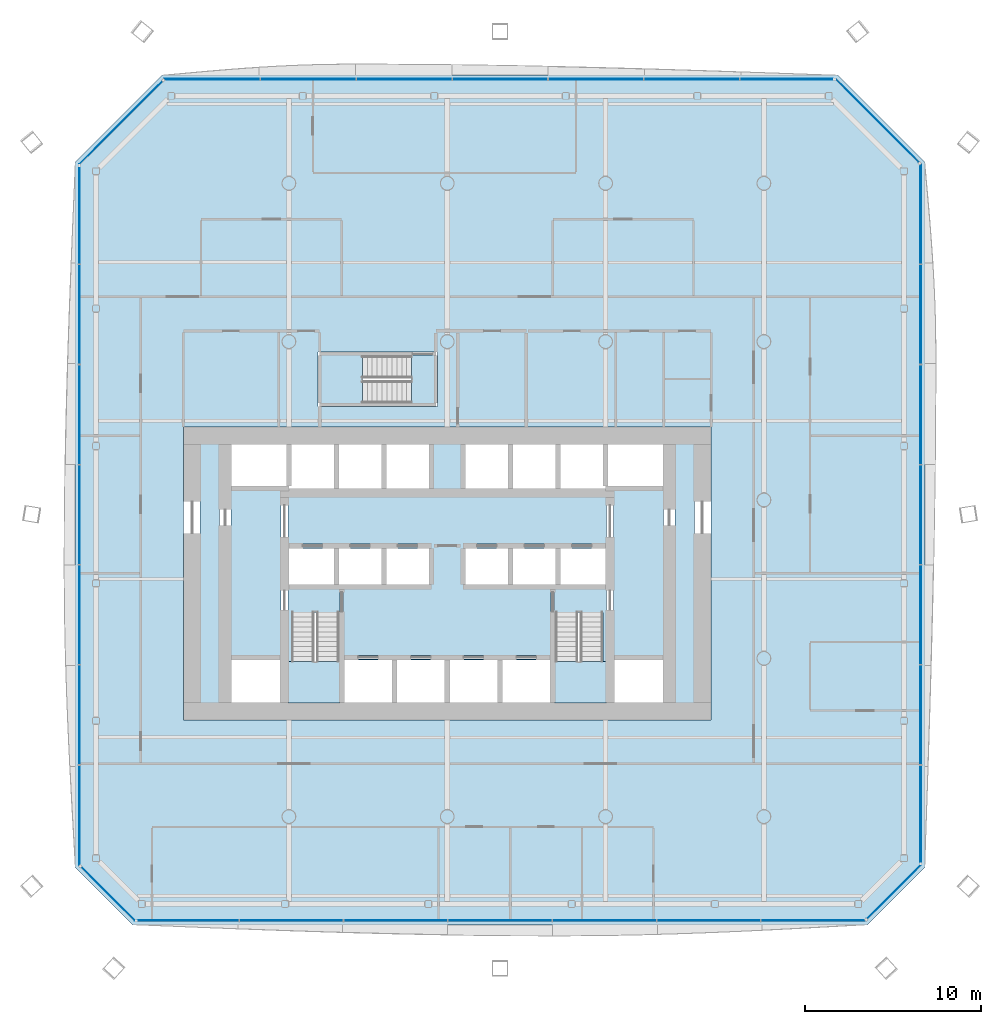
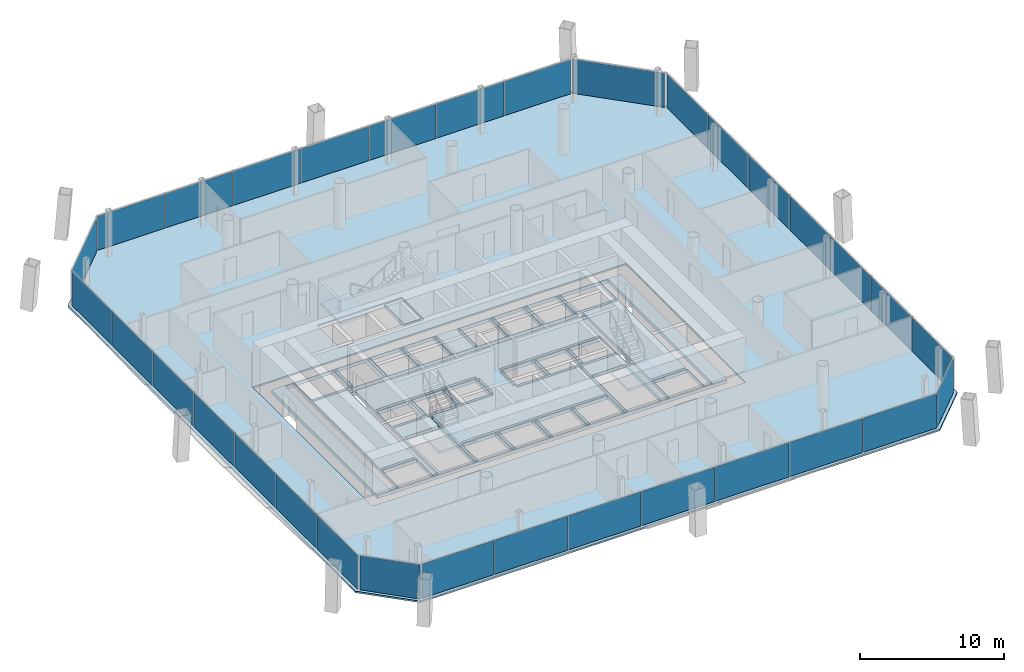
# One storey, part 10 of 19: 32 plates, 6 slabs, 11 elements without a shape of their own.
"""IFC4 building model written with IfcOpenShell, lengths in metres."""

from ifc_helpers import new_model, si_unit, direction, frame, origin, origin_2d, place, context, subcontext, project, spatial, polyline, rectangle, outline, extrude, material, layer, layer_set, type_object, element, aggregate, save


model = new_model("IFC4")

# Units and contexts
model_context = context("Model", 3, precision=1e-05, world=origin(), true_north=direction((0.0, 1.0)))
body_context = subcontext(model_context, "Body", "Model", "MODEL_VIEW")
ifc_project = project(units=[si_unit("LENGTHUNIT", "METRE"), si_unit("AREAUNIT", "SQUARE_METRE"), si_unit("VOLUMEUNIT", "CUBIC_METRE"), si_unit("PLANEANGLEUNIT", "RADIAN"), si_unit("MASSUNIT", "GRAM", prefix="KILO")], contexts=[model_context])

# Site, building, storey
site_placement = place(None, origin())
site = spatial("IfcSite", under=ifc_project, at=site_placement, CompositionType="ELEMENT")
building_placement = place(site_placement, origin())
building = spatial("IfcBuilding", under=site, at=building_placement, Name="Tskaro Facet Tower", CompositionType="ELEMENT")
storey_placement = place(building_placement, frame((0.0, 0.0, 105.0)))
storey = spatial("IfcBuildingStorey", under=building, at=storey_placement, Name="L25", CompositionType="ELEMENT", Elevation=105.0)

# Slab
ifc_material_1 = material(Name="Concrete C30/37", Category="concrete")
ifc_layer_1 = layer(ifc_material_1, 0.139892578125, Name="Concrete C30/37")
ifc_layer_set_1 = layer_set([ifc_layer_1], Name="Concrete C30/37")
slab_type_1 = type_object("IfcSlabType", Name="Composite deck floor slab", PredefinedType="FLOOR", material=ifc_layer_set_1)
slab_1_placement = place(storey_placement, frame((0.0, 0.0, -0.139892578125)))
element("IfcSlab", 1, at=slab_1_placement, inside=storey, type_object=slab_type_1, Name="Floor slab FS3 L25", PredefinedType="FLOOR", context=body_context, shape_type="SweptSolid", body=[
    extrude(outline(polyline([(-17.861083984375, -24.1650390625), (23.861083984375, -24.1650390625), (27.1650390625, -20.861083984375), (27.1650390625, 19.18701171875), (22.18701171875, 24.1650390625), (-16.18701171875, 24.1650390625), (-21.1650390625, 19.18701171875), (-21.1650390625, -20.861083984375), (-17.861083984375, -24.1650390625)]), holes=[polyline([(-15.0, -12.5), (15.0, -12.5), (15.0, 4.14990234375), (-15.0, 4.14990234375), (-15.0, -12.5)]), polyline([(-7.35009765625, 5.300048828125), (-0.550048828125, 5.300048828125), (-0.550048828125, 8.39990234375), (-7.35009765625, 8.39990234375), (-7.35009765625, 5.300048828125)])]), origin(), (0.0, 0.0, 1.0), 0.139892578125),
])

# Curtain wall, plates
ifc_material_2 = material(Name="Bronze anodised aluminium 6063-T6", Category="aluminium")
curtain_wall_type = type_object("IfcCurtainWallType", Name="Bronze office curtain wall (FW1)", PredefinedType="NOTDEFINED", material=ifc_material_2)
curtain_wall_1_placement = place(storey_placement, origin())
curtain_wall_1 = element("IfcCurtainWall", 2, at=curtain_wall_1_placement, inside=storey, type_object=curtain_wall_type, Name="FW1 south facet L25", PredefinedType="NOTDEFINED")
ifc_material_3 = material(Name="Bronze tinted glass", Category="glass")
ifc_layer_2 = layer(ifc_material_3, 0.031982421875, Name="Bronze tinted glass")
ifc_layer_set_2 = layer_set([ifc_layer_2], Name="Bronze tinted glass")
plate_type = type_object("IfcPlateType", Name="FW1 bronze-tinted unit glazing 32", PredefinedType="CURTAIN_PANEL", material=ifc_layer_set_2)
plate_1_placement = place(storey_placement, frame((-14.726806640625, -23.9150390625, 0.0), z_axis=(0.0, 0.0, 1.0), x_axis=(1.0, 0.0, 0.0)))
plate_1 = element("IfcPlate", 3, at=plate_1_placement, type_object=plate_type, Name="FW1 south glazing 1.1", PredefinedType="CURTAIN_PANEL", context=body_context, shape_type="SweptSolid", body=[
    extrude(rectangle(XDim=5.740478515625, YDim=0.031982421875, at=origin_2d()), origin(), (0.0, 0.0, 1.0), 2.889892578125),
])
plate_2_placement = place(storey_placement, frame((-8.861083984375, -23.9150390625, 0.0), z_axis=(0.0, 0.0, 1.0), x_axis=(1.0, 0.0, 0.0)))
plate_2 = element("IfcPlate", 4, at=plate_2_placement, type_object=plate_type, Name="FW1 south glazing 2.1", PredefinedType="CURTAIN_PANEL", context=body_context, shape_type="SweptSolid", body=[
    extrude(rectangle(XDim=5.87060546875, YDim=0.031982421875, at=origin_2d()), origin(), (0.0, 0.0, 1.0), 2.889892578125),
])
plate_3_placement = place(storey_placement, frame((-2.9306640625, -23.9150390625, 0.0), z_axis=(0.0, 0.0, 1.0), x_axis=(1.0, 0.0, 0.0)))
plate_3 = element("IfcPlate", 5, at=plate_3_placement, type_object=plate_type, Name="FW1 south glazing 3.1", PredefinedType="CURTAIN_PANEL", context=body_context, shape_type="SweptSolid", body=[
    extrude(rectangle(XDim=5.87060546875, YDim=0.031982421875, at=origin_2d()), origin(), (0.0, 0.0, 1.0), 2.889892578125),
])
plate_4_placement = place(storey_placement, frame((3.0, -23.9150390625, 0.0), z_axis=(0.0, 0.0, 1.0), x_axis=(1.0, 0.0, 0.0)))
plate_4 = element("IfcPlate", 6, at=plate_4_placement, type_object=plate_type, Name="FW1 south glazing 4.1", PredefinedType="CURTAIN_PANEL", context=body_context, shape_type="SweptSolid", body=[
    extrude(rectangle(XDim=5.87060546875, YDim=0.031982421875, at=origin_2d()), origin(), (0.0, 0.0, 1.0), 2.889892578125),
])
plate_5_placement = place(storey_placement, frame((8.9306640625, -23.9150390625, 0.0), z_axis=(0.0, 0.0, 1.0), x_axis=(1.0, 0.0, 0.0)))
plate_5 = element("IfcPlate", 7, at=plate_5_placement, type_object=plate_type, Name="FW1 south glazing 5.1", PredefinedType="CURTAIN_PANEL", context=body_context, shape_type="SweptSolid", body=[
    extrude(rectangle(XDim=5.87060546875, YDim=0.031982421875, at=origin_2d()), origin(), (0.0, 0.0, 1.0), 2.889892578125),
])
plate_6_placement = place(storey_placement, frame((14.861083984375, -23.9150390625, 0.0), z_axis=(0.0, 0.0, 1.0), x_axis=(1.0, 0.0, 0.0)))
plate_6 = element("IfcPlate", 8, at=plate_6_placement, type_object=plate_type, Name="FW1 south glazing 6.1", PredefinedType="CURTAIN_PANEL", context=body_context, shape_type="SweptSolid", body=[
    extrude(rectangle(XDim=5.87060546875, YDim=0.031982421875, at=origin_2d()), origin(), (0.0, 0.0, 1.0), 2.889892578125),
])
plate_7_placement = place(storey_placement, frame((20.806640625, -23.9150390625, 0.0), z_axis=(0.0, 0.0, 1.0), x_axis=(1.0, 0.0, 0.0)))
plate_7 = element("IfcPlate", 9, at=plate_7_placement, type_object=plate_type, Name="FW1 south glazing 7.1", PredefinedType="CURTAIN_PANEL", context=body_context, shape_type="SweptSolid", body=[
    extrude(rectangle(XDim=5.900634765625, YDim=0.031982421875, at=origin_2d()), origin(), (0.0, 0.0, 1.0), 2.889892578125),
])
aggregate(curtain_wall_1, [plate_1, plate_2, plate_3, plate_4, plate_5, plate_6, plate_7])

# Curtain wall, plate
curtain_wall_2_placement = place(storey_placement, origin())
curtain_wall_2 = element("IfcCurtainWall", 10, at=curtain_wall_2_placement, inside=storey, type_object=curtain_wall_type, Name="FW1 south-east facet L25", PredefinedType="NOTDEFINED")
plate_8_placement = place(storey_placement, frame((25.392578125, -22.279541015625, 0.0), z_axis=(0.0, 0.0, 1.0), x_axis=(0.707106781187, 0.707106781187, 0.0)))
plate_8 = element("IfcPlate", 11, at=plate_8_placement, type_object=plate_type, Name="FW1 south-east glazing 1.1", PredefinedType="CURTAIN_PANEL", context=body_context, shape_type="SweptSolid", body=[
    extrude(rectangle(XDim=4.30615234375, YDim=0.031982421875, at=origin_2d()), origin(), (0.0, 0.0, 1.0), 2.889892578125),
])
aggregate(curtain_wall_2, [plate_8])

# Curtain wall, plates
curtain_wall_3_placement = place(storey_placement, origin())
curtain_wall_3 = element("IfcCurtainWall", 12, at=curtain_wall_3_placement, inside=storey, type_object=curtain_wall_type, Name="FW1 east facet L25", PredefinedType="NOTDEFINED")
plate_9_placement = place(storey_placement, frame((26.9150390625, -17.84619140625, 0.0), z_axis=(0.0, 0.0, 1.0), x_axis=(0.0, 1.0, 0.0)))
plate_9 = element("IfcPlate", 13, at=plate_9_placement, type_object=plate_type, Name="FW1 east glazing 1.1", PredefinedType="CURTAIN_PANEL", context=body_context, shape_type="SweptSolid", body=[
    extrude(rectangle(XDim=5.50146484375, YDim=0.031982421875, at=origin_2d()), origin(), (0.0, 0.0, 1.0), 2.889892578125),
])
plate_10_placement = place(storey_placement, frame((26.9150390625, -12.219970703125, 0.0), z_axis=(0.0, 0.0, 1.0), x_axis=(0.0, 1.0, 0.0)))
plate_10 = element("IfcPlate", 14, at=plate_10_placement, type_object=plate_type, Name="FW1 east glazing 2.1", PredefinedType="CURTAIN_PANEL", context=body_context, shape_type="SweptSolid", body=[
    extrude(rectangle(XDim=5.63134765625, YDim=0.031982421875, at=origin_2d()), origin(), (0.0, 0.0, 1.0), 2.889892578125),
])
plate_11_placement = place(storey_placement, frame((26.9150390625, -6.5283203125, 0.0), z_axis=(0.0, 0.0, 1.0), x_axis=(0.0, 1.0, 0.0)))
plate_11 = element("IfcPlate", 15, at=plate_11_placement, type_object=plate_type, Name="FW1 east glazing 3.1", PredefinedType="CURTAIN_PANEL", context=body_context, shape_type="SweptSolid", body=[
    extrude(rectangle(XDim=5.63134765625, YDim=0.031982421875, at=origin_2d()), origin(), (0.0, 0.0, 1.0), 2.889892578125),
])
plate_12_placement = place(storey_placement, frame((26.9150390625, -0.8369140625, 0.0), z_axis=(0.0, 0.0, 1.0), x_axis=(0.0, 1.0, 0.0)))
plate_12 = element("IfcPlate", 16, at=plate_12_placement, type_object=plate_type, Name="FW1 east glazing 4.1", PredefinedType="CURTAIN_PANEL", context=body_context, shape_type="SweptSolid", body=[
    extrude(rectangle(XDim=5.63134765625, YDim=0.031982421875, at=origin_2d()), origin(), (0.0, 0.0, 1.0), 2.889892578125),
])
plate_13_placement = place(storey_placement, frame((26.9150390625, 4.8544921875, 0.0), z_axis=(0.0, 0.0, 1.0), x_axis=(0.0, 1.0, 0.0)))
plate_13 = element("IfcPlate", 17, at=plate_13_placement, type_object=plate_type, Name="FW1 east glazing 5.1", PredefinedType="CURTAIN_PANEL", context=body_context, shape_type="SweptSolid", body=[
    extrude(rectangle(XDim=5.63134765625, YDim=0.031982421875, at=origin_2d()), origin(), (0.0, 0.0, 1.0), 2.889892578125),
])
plate_14_placement = place(storey_placement, frame((26.9150390625, 10.5458984375, 0.0), z_axis=(0.0, 0.0, 1.0), x_axis=(0.0, 1.0, 0.0)))
plate_14 = element("IfcPlate", 18, at=plate_14_placement, type_object=plate_type, Name="FW1 east glazing 6.1", PredefinedType="CURTAIN_PANEL", context=body_context, shape_type="SweptSolid", body=[
    extrude(rectangle(XDim=5.63134765625, YDim=0.031982421875, at=origin_2d()), origin(), (0.0, 0.0, 1.0), 2.889892578125),
])
plate_15_placement = place(storey_placement, frame((26.9150390625, 16.252197265625, 0.0), z_axis=(0.0, 0.0, 1.0), x_axis=(0.0, 1.0, 0.0)))
plate_15 = element("IfcPlate", 19, at=plate_15_placement, type_object=plate_type, Name="FW1 east glazing 7.1", PredefinedType="CURTAIN_PANEL", context=body_context, shape_type="SweptSolid", body=[
    extrude(rectangle(XDim=5.661376953125, YDim=0.031982421875, at=origin_2d()), origin(), (0.0, 0.0, 1.0), 2.889892578125),
])
aggregate(curtain_wall_3, [plate_9, plate_10, plate_11, plate_12, plate_13, plate_14, plate_15])

# Curtain wall, plate
curtain_wall_4_placement = place(storey_placement, origin())
curtain_wall_4 = element("IfcCurtainWall", 20, at=curtain_wall_4_placement, inside=storey, type_object=curtain_wall_type, Name="FW1 north-east facet L25", PredefinedType="NOTDEFINED")
plate_16_placement = place(storey_placement, frame((24.4423828125, 21.5556640625, 0.0), z_axis=(0.0, 0.0, 1.0), x_axis=(-0.707106781187, 0.707106781187, 0.0)))
plate_16 = element("IfcPlate", 21, at=plate_16_placement, type_object=plate_type, Name="FW1 north-east glazing 1.1", PredefinedType="CURTAIN_PANEL", context=body_context, shape_type="SweptSolid", body=[
    extrude(rectangle(XDim=6.673583984375, YDim=0.031982421875, at=origin_2d()), origin(), (0.0, 0.0, 1.0), 2.889892578125),
])
aggregate(curtain_wall_4, [plate_16])

# Curtain wall, plates
curtain_wall_5_placement = place(storey_placement, origin())
curtain_wall_5 = element("IfcCurtainWall", 22, at=curtain_wall_5_placement, inside=storey, type_object=curtain_wall_type, Name="FW1 north facet L25", PredefinedType="NOTDEFINED")
plate_17_placement = place(storey_placement, frame((19.291748046875, 23.9150390625, 0.0), z_axis=(0.0, 0.0, 1.0), x_axis=(-1.0, 0.0, 0.0)))
plate_17 = element("IfcPlate", 23, at=plate_17_placement, type_object=plate_type, Name="FW1 north glazing 1.1", PredefinedType="CURTAIN_PANEL", context=body_context, shape_type="SweptSolid", body=[
    extrude(rectangle(XDim=5.26220703125, YDim=0.031982421875, at=origin_2d()), origin(), (0.0, 0.0, 1.0), 2.889892578125),
])
plate_18_placement = place(storey_placement, frame((13.904541015625, 23.9150390625, 0.0), z_axis=(0.0, 0.0, 1.0), x_axis=(-1.0, 0.0, 0.0)))
plate_18 = element("IfcPlate", 24, at=plate_18_placement, type_object=plate_type, Name="FW1 north glazing 2.1", PredefinedType="CURTAIN_PANEL", context=body_context, shape_type="SweptSolid", body=[
    extrude(rectangle(XDim=5.392333984375, YDim=0.031982421875, at=origin_2d()), origin(), (0.0, 0.0, 1.0), 2.889892578125),
])
plate_19_placement = place(storey_placement, frame((8.452392578125, 23.9150390625, 0.0), z_axis=(0.0, 0.0, 1.0), x_axis=(-1.0, 0.0, 0.0)))
plate_19 = element("IfcPlate", 25, at=plate_19_placement, type_object=plate_type, Name="FW1 north glazing 3.1", PredefinedType="CURTAIN_PANEL", context=body_context, shape_type="SweptSolid", body=[
    extrude(rectangle(XDim=5.392333984375, YDim=0.031982421875, at=origin_2d()), origin(), (0.0, 0.0, 1.0), 2.889892578125),
])
plate_20_placement = place(storey_placement, frame((3.0, 23.9150390625, 0.0), z_axis=(0.0, 0.0, 1.0), x_axis=(-1.0, 0.0, 0.0)))
plate_20 = element("IfcPlate", 26, at=plate_20_placement, type_object=plate_type, Name="FW1 north glazing 4.1", PredefinedType="CURTAIN_PANEL", context=body_context, shape_type="SweptSolid", body=[
    extrude(rectangle(XDim=5.392333984375, YDim=0.031982421875, at=origin_2d()), origin(), (0.0, 0.0, 1.0), 2.889892578125),
])
plate_21_placement = place(storey_placement, frame((-2.452392578125, 23.9150390625, 0.0), z_axis=(0.0, 0.0, 1.0), x_axis=(-1.0, 0.0, 0.0)))
plate_21 = element("IfcPlate", 27, at=plate_21_placement, type_object=plate_type, Name="FW1 north glazing 5.1", PredefinedType="CURTAIN_PANEL", context=body_context, shape_type="SweptSolid", body=[
    extrude(rectangle(XDim=5.392333984375, YDim=0.031982421875, at=origin_2d()), origin(), (0.0, 0.0, 1.0), 2.889892578125),
])
plate_22_placement = place(storey_placement, frame((-7.904541015625, 23.9150390625, 0.0), z_axis=(0.0, 0.0, 1.0), x_axis=(-1.0, 0.0, 0.0)))
plate_22 = element("IfcPlate", 28, at=plate_22_placement, type_object=plate_type, Name="FW1 north glazing 6.1", PredefinedType="CURTAIN_PANEL", context=body_context, shape_type="SweptSolid", body=[
    extrude(rectangle(XDim=5.392333984375, YDim=0.031982421875, at=origin_2d()), origin(), (0.0, 0.0, 1.0), 2.889892578125),
])
plate_23_placement = place(storey_placement, frame((-13.371826171875, 23.9150390625, 0.0), z_axis=(0.0, 0.0, 1.0), x_axis=(-1.0, 0.0, 0.0)))
plate_23 = element("IfcPlate", 29, at=plate_23_placement, type_object=plate_type, Name="FW1 north glazing 7.1", PredefinedType="CURTAIN_PANEL", context=body_context, shape_type="SweptSolid", body=[
    extrude(rectangle(XDim=5.42236328125, YDim=0.031982421875, at=origin_2d()), origin(), (0.0, 0.0, 1.0), 2.889892578125),
])
aggregate(curtain_wall_5, [plate_17, plate_18, plate_19, plate_20, plate_21, plate_22, plate_23])

# Curtain wall, plate
curtain_wall_6_placement = place(storey_placement, origin())
curtain_wall_6 = element("IfcCurtainWall", 30, at=curtain_wall_6_placement, inside=storey, type_object=curtain_wall_type, Name="FW1 north-west facet L25", PredefinedType="NOTDEFINED")
plate_24_placement = place(storey_placement, frame((-18.5556640625, 21.4423828125, 0.0), z_axis=(0.0, 0.0, 1.0), x_axis=(-0.707106781187, -0.707106781187, 0.0)))
plate_24 = element("IfcPlate", 31, at=plate_24_placement, type_object=plate_type, Name="FW1 north-west glazing 1.1", PredefinedType="CURTAIN_PANEL", context=body_context, shape_type="SweptSolid", body=[
    extrude(rectangle(XDim=6.673583984375, YDim=0.031982421875, at=origin_2d()), origin(), (0.0, 0.0, 1.0), 2.889892578125),
])
aggregate(curtain_wall_6, [plate_24])

# Curtain wall, plates
curtain_wall_7_placement = place(storey_placement, origin())
curtain_wall_7 = element("IfcCurtainWall", 32, at=curtain_wall_7_placement, inside=storey, type_object=curtain_wall_type, Name="FW1 west facet L25", PredefinedType="NOTDEFINED")
plate_25_placement = place(storey_placement, frame((-20.9150390625, 16.17236328125, 0.0), z_axis=(0.0, 0.0, 1.0), x_axis=(0.0, -1.0, 0.0)))
plate_25 = element("IfcPlate", 33, at=plate_25_placement, type_object=plate_type, Name="FW1 west glazing 1.1", PredefinedType="CURTAIN_PANEL", context=body_context, shape_type="SweptSolid", body=[
    extrude(rectangle(XDim=5.50146484375, YDim=0.031982421875, at=origin_2d()), origin(), (0.0, 0.0, 1.0), 2.889892578125),
])
plate_26_placement = place(storey_placement, frame((-20.9150390625, 10.5458984375, 0.0), z_axis=(0.0, 0.0, 1.0), x_axis=(0.0, -1.0, 0.0)))
plate_26 = element("IfcPlate", 34, at=plate_26_placement, type_object=plate_type, Name="FW1 west glazing 2.1", PredefinedType="CURTAIN_PANEL", context=body_context, shape_type="SweptSolid", body=[
    extrude(rectangle(XDim=5.63134765625, YDim=0.031982421875, at=origin_2d()), origin(), (0.0, 0.0, 1.0), 2.889892578125),
])
plate_27_placement = place(storey_placement, frame((-20.9150390625, 4.8544921875, 0.0), z_axis=(0.0, 0.0, 1.0), x_axis=(0.0, -1.0, 0.0)))
plate_27 = element("IfcPlate", 35, at=plate_27_placement, type_object=plate_type, Name="FW1 west glazing 3.1", PredefinedType="CURTAIN_PANEL", context=body_context, shape_type="SweptSolid", body=[
    extrude(rectangle(XDim=5.63134765625, YDim=0.031982421875, at=origin_2d()), origin(), (0.0, 0.0, 1.0), 2.889892578125),
])
plate_28_placement = place(storey_placement, frame((-20.9150390625, -0.8369140625, 0.0), z_axis=(0.0, 0.0, 1.0), x_axis=(0.0, -1.0, 0.0)))
plate_28 = element("IfcPlate", 36, at=plate_28_placement, type_object=plate_type, Name="FW1 west glazing 4.1", PredefinedType="CURTAIN_PANEL", context=body_context, shape_type="SweptSolid", body=[
    extrude(rectangle(XDim=5.63134765625, YDim=0.031982421875, at=origin_2d()), origin(), (0.0, 0.0, 1.0), 2.889892578125),
])
plate_29_placement = place(storey_placement, frame((-20.9150390625, -6.5283203125, 0.0), z_axis=(0.0, 0.0, 1.0), x_axis=(0.0, -1.0, 0.0)))
plate_29 = element("IfcPlate", 37, at=plate_29_placement, type_object=plate_type, Name="FW1 west glazing 5.1", PredefinedType="CURTAIN_PANEL", context=body_context, shape_type="SweptSolid", body=[
    extrude(rectangle(XDim=5.63134765625, YDim=0.031982421875, at=origin_2d()), origin(), (0.0, 0.0, 1.0), 2.889892578125),
])
plate_30_placement = place(storey_placement, frame((-20.9150390625, -12.219970703125, 0.0), z_axis=(0.0, 0.0, 1.0), x_axis=(0.0, -1.0, 0.0)))
plate_30 = element("IfcPlate", 38, at=plate_30_placement, type_object=plate_type, Name="FW1 west glazing 6.1", PredefinedType="CURTAIN_PANEL", context=body_context, shape_type="SweptSolid", body=[
    extrude(rectangle(XDim=5.63134765625, YDim=0.031982421875, at=origin_2d()), origin(), (0.0, 0.0, 1.0), 2.889892578125),
])
plate_31_placement = place(storey_placement, frame((-20.9150390625, -17.92626953125, 0.0), z_axis=(0.0, 0.0, 1.0), x_axis=(0.0, -1.0, 0.0)))
plate_31 = element("IfcPlate", 39, at=plate_31_placement, type_object=plate_type, Name="FW1 west glazing 7.1", PredefinedType="CURTAIN_PANEL", context=body_context, shape_type="SweptSolid", body=[
    extrude(rectangle(XDim=5.661376953125, YDim=0.031982421875, at=origin_2d()), origin(), (0.0, 0.0, 1.0), 2.889892578125),
])
aggregate(curtain_wall_7, [plate_25, plate_26, plate_27, plate_28, plate_29, plate_30, plate_31])

# Curtain wall, plate
curtain_wall_8_placement = place(storey_placement, origin())
curtain_wall_8 = element("IfcCurtainWall", 40, at=curtain_wall_8_placement, inside=storey, type_object=curtain_wall_type, Name="FW1 south-west facet L25", PredefinedType="NOTDEFINED")
plate_32_placement = place(storey_placement, frame((-19.279541015625, -22.392578125, 0.0), z_axis=(0.0, 0.0, 1.0), x_axis=(0.707106781187, -0.707106781187, 0.0)))
plate_32 = element("IfcPlate", 41, at=plate_32_placement, type_object=plate_type, Name="FW1 south-west glazing 1.1", PredefinedType="CURTAIN_PANEL", context=body_context, shape_type="SweptSolid", body=[
    extrude(rectangle(XDim=4.30615234375, YDim=0.031982421875, at=origin_2d()), origin(), (0.0, 0.0, 1.0), 2.889892578125),
])
aggregate(curtain_wall_8, [plate_32])

# Stair, slab
ifc_material_4 = material(Name="Concrete C40/50", Category="concrete")
stair_type = type_object("IfcStairType", Name="ST-TWR", PredefinedType="HALF_TURN_STAIR", material=ifc_material_4)
stair_1_placement = place(storey_placement, origin())
stair_1 = element("IfcStair", 42, at=stair_1_placement, inside=storey, type_object=stair_type, Name="L25 Exit stair 1", PredefinedType="HALF_TURN_STAIR")
ifc_layer_3 = layer(ifc_material_4, 0.199951171875, Name="Concrete C40/50")
ifc_layer_set_3 = layer_set([ifc_layer_3], Name="Concrete C40/50")
slab_type_2 = type_object("IfcSlabType", Name="SL-LANDING", PredefinedType="LANDING", material=ifc_layer_set_3)
slab_2_placement = place(storey_placement, frame((0.0, 0.0, 1.75)))
slab_2 = element("IfcSlab", 43, at=slab_2_placement, type_object=slab_type_2, Name="ST-1 landing 1", PredefinedType="LANDING", context=body_context, shape_type="SweptSolid", body=[
    extrude(outline(polyline([(-9.050048828125, -11.550048828125), (-6.10009765625, -11.550048828125), (-6.10009765625, -9.175048828125), (-9.050048828125, -9.175048828125), (-9.050048828125, -11.550048828125)])), origin(), (0.0, 0.0, 1.0), 0.199951171875),
])
aggregate(stair_1, [slab_2])

stair_2_placement = place(storey_placement, origin())
stair_2 = element("IfcStair", 44, at=stair_2_placement, inside=storey, type_object=stair_type, Name="L25 Exit stair 2", PredefinedType="HALF_TURN_STAIR")
slab_3_placement = place(storey_placement, frame((0.0, 0.0, 1.75)))
slab_3 = element("IfcSlab", 45, at=slab_3_placement, type_object=slab_type_2, Name="ST-2 landing 1", PredefinedType="LANDING", context=body_context, shape_type="SweptSolid", body=[
    extrude(outline(polyline([(6.10009765625, -11.550048828125), (9.050048828125, -11.550048828125), (9.050048828125, -9.175048828125), (6.10009765625, -9.175048828125), (6.10009765625, -11.550048828125)])), origin(), (0.0, 0.0, 1.0), 0.199951171875),
])
aggregate(stair_2, [slab_3])

stair_3_placement = place(storey_placement, origin())
stair_3 = element("IfcStair", 46, at=stair_3_placement, inside=storey, type_object=stair_type, Name="L25 Exit stair 3", PredefinedType="HALF_TURN_STAIR")
slab_4_placement = place(storey_placement, frame((0.0, 0.0, 1.75)))
slab_4 = element("IfcSlab", 47, at=slab_4_placement, type_object=slab_type_2, Name="ST-3 landing 1", PredefinedType="LANDING", context=body_context, shape_type="SweptSolid", body=[
    extrude(outline(polyline([(-7.199951171875, 5.449951171875), (-4.824951171875, 5.449951171875), (-4.824951171875, 8.25), (-7.199951171875, 8.25), (-7.199951171875, 5.449951171875)])), origin(), (0.0, 0.0, 1.0), 0.199951171875),
])
aggregate(stair_3, [slab_4])

# Slabs
ifc_material_5 = material(Name="Concrete C60/75", Category="concrete")
ifc_layer_4 = layer(ifc_material_5, 0.300048828125, Name="Concrete C60/75")
ifc_layer_set_4 = layer_set([ifc_layer_4], Name="Concrete C60/75")
slab_type_3 = type_object("IfcSlabType", Name="SLAB-CORE", PredefinedType="FLOOR", material=ifc_layer_set_4)
slab_5_placement = place(storey_placement, frame((0.0, 0.0, -0.300048828125)))
element("IfcSlab", 48, at=slab_5_placement, inside=storey, type_object=slab_type_3, Name="Core floor slab 1", PredefinedType="FLOOR", context=body_context, shape_type="SweptSolid", body=[
    extrude(outline(polyline([(-14.050048828125, 3.199951171875), (14.050048828125, 3.199951171875), (14.050048828125, 3.10009765625), (14.050048828125, -11.449951171875), (14.050048828125, -11.550048828125), (-14.050048828125, -11.550048828125), (-14.050048828125, -11.449951171875), (-14.050048828125, 3.10009765625), (-14.050048828125, 3.199951171875)]), holes=[polyline([(-5.85009765625, -9.10009765625), (-5.85009765625, -11.5), (-3.14990234375, -11.5), (-3.14990234375, -9.10009765625), (-5.85009765625, -9.10009765625)]), polyline([(-9.5, -11.5), (-9.5, -9.10009765625), (-12.25, -9.10009765625), (-12.25, -11.5), (-9.5, -11.5)]), polyline([(-12.199951171875, -8.85009765625), (-12.199951171875, -9.050048828125), (-9.550048828125, -9.050048828125), (-9.550048828125, -8.85009765625), (-12.199951171875, -8.85009765625)]), polyline([(-6.10009765625, -5.14990234375), (-6.10009765625, -11.449951171875), (-5.89990234375, -11.449951171875), (-5.89990234375, -5.14990234375), (-6.10009765625, -5.14990234375)]), polyline([(-9.449951171875, 0.10009765625), (-9.449951171875, -11.449951171875), (-9.050048828125, -11.449951171875), (-9.050048828125, 0.10009765625), (-9.449951171875, 0.10009765625)]), polyline([(-8.949951171875, -4.85009765625), (-8.949951171875, -5.050048828125), (-0.949951171875, -5.050048828125), (-0.949951171875, -4.85009765625), (-8.949951171875, -4.85009765625)]), polyline([(-12.949951171875, 3.10009765625), (-12.949951171875, -11.449951171875), (-12.300048828125, -11.449951171875), (-12.300048828125, 3.10009765625), (-12.949951171875, 3.10009765625)]), polyline([(-6.449951171875, -4.800048828125), (-6.449951171875, -2.75), (-9.0, -2.75), (-9.0, -4.800048828125), (-6.449951171875, -4.800048828125)]), polyline([(-6.39990234375, -2.800048828125), (-6.39990234375, -4.75), (-6.199951171875, -4.75), (-6.199951171875, -2.800048828125), (-6.39990234375, -2.800048828125)]), polyline([(-3.75, -4.800048828125), (-3.75, -2.75), (-6.14990234375, -2.75), (-6.14990234375, -4.800048828125), (-3.75, -4.800048828125)]), polyline([(-8.949951171875, -2.5), (-8.949951171875, -2.699951171875), (-0.949951171875, -2.699951171875), (-0.949951171875, -2.5), (-8.949951171875, -2.5)]), polyline([(9.449951171875, 0.199951171875), (9.449951171875, 0.550048828125), (12.199951171875, 0.550048828125), (12.199951171875, 0.75), (9.050048828125, 0.75), (9.050048828125, 0.60009765625), (-9.050048828125, 0.60009765625), (-9.050048828125, 0.75), (-12.199951171875, 0.75), (-12.199951171875, 0.550048828125), (-9.449951171875, 0.550048828125), (-9.449951171875, 0.199951171875), (9.449951171875, 0.199951171875)]), polyline([(-8.85009765625, 3.14990234375), (-8.85009765625, 0.800048828125), (-9.0, 0.800048828125), (-9.0, 0.64990234375), (-6.449951171875, 0.64990234375), (-6.449951171875, 3.14990234375), (-8.85009765625, 3.14990234375)]), polyline([(-6.14990234375, 0.64990234375), (-3.75, 0.64990234375), (-3.75, 3.14990234375), (-6.14990234375, 3.14990234375), (-6.14990234375, 0.64990234375)]), polyline([(-6.39990234375, 3.10009765625), (-6.39990234375, 0.699951171875), (-6.199951171875, 0.699951171875), (-6.199951171875, 3.10009765625), (-6.39990234375, 3.10009765625)]), polyline([(-9.10009765625, 3.10009765625), (-9.10009765625, 0.85009765625), (-8.89990234375, 0.85009765625), (-8.89990234375, 3.10009765625), (-9.10009765625, 3.10009765625)]), polyline([(-9.14990234375, 0.800048828125), (-9.14990234375, 3.14990234375), (-12.25, 3.14990234375), (-12.25, 0.800048828125), (-9.14990234375, 0.800048828125)]), polyline([(2.89990234375, -9.14990234375), (2.89990234375, -11.449951171875), (3.10009765625, -11.449951171875), (3.10009765625, -9.14990234375), (2.89990234375, -9.14990234375)]), polyline([(-3.10009765625, -9.14990234375), (-3.10009765625, -11.449951171875), (-2.89990234375, -11.449951171875), (-2.89990234375, -9.14990234375), (-3.10009765625, -9.14990234375)]), polyline([(2.85009765625, -9.10009765625), (0.14990234375, -9.10009765625), (0.14990234375, -11.5), (2.85009765625, -11.5), (2.85009765625, -9.10009765625)]), polyline([(-0.14990234375, -9.10009765625), (-2.85009765625, -9.10009765625), (-2.85009765625, -11.5), (-0.14990234375, -11.5), (-0.14990234375, -9.10009765625)]), polyline([(-0.10009765625, -9.14990234375), (-0.10009765625, -11.449951171875), (0.10009765625, -11.449951171875), (0.10009765625, -9.14990234375), (-0.10009765625, -9.14990234375)]), polyline([(-5.800048828125, -8.85009765625), (-5.800048828125, -9.050048828125), (5.800048828125, -9.050048828125), (5.800048828125, -8.85009765625), (-5.800048828125, -8.85009765625)]), polyline([(-1.0, -2.800048828125), (-1.0, -4.75), (-0.800048828125, -4.75), (-0.800048828125, -2.800048828125), (-1.0, -2.800048828125)]), polyline([(-3.699951171875, -2.800048828125), (-3.699951171875, -4.75), (-3.5, -4.75), (-3.5, -2.800048828125), (-3.699951171875, -2.800048828125)]), polyline([(-1.050048828125, -4.800048828125), (-1.050048828125, -2.75), (-3.449951171875, -2.75), (-3.449951171875, -4.800048828125), (-1.050048828125, -4.800048828125)]), polyline([(0.800048828125, -4.75), (1.0, -4.75), (1.0, -2.800048828125), (0.800048828125, -2.800048828125), (0.800048828125, -4.75)]), polyline([(3.449951171875, -4.800048828125), (3.449951171875, -2.75), (1.050048828125, -2.75), (1.050048828125, -4.800048828125), (3.449951171875, -4.800048828125)]), polyline([(-3.449951171875, 0.64990234375), (-1.050048828125, 0.64990234375), (-1.050048828125, 3.14990234375), (-3.449951171875, 3.14990234375), (-3.449951171875, 0.64990234375)]), polyline([(1.050048828125, 0.64990234375), (3.449951171875, 0.64990234375), (3.449951171875, 3.14990234375), (1.050048828125, 3.14990234375), (1.050048828125, 0.64990234375)]), polyline([(-1.0, 3.10009765625), (-1.0, 0.699951171875), (-0.800048828125, 0.699951171875), (-0.800048828125, 3.10009765625), (-1.0, 3.10009765625)]), polyline([(0.800048828125, 3.10009765625), (0.800048828125, 0.699951171875), (1.0, 0.699951171875), (1.0, 3.10009765625), (0.800048828125, 3.10009765625)]), polyline([(-3.699951171875, 3.10009765625), (-3.699951171875, 0.699951171875), (-3.5, 0.699951171875), (-3.5, 3.10009765625), (-3.699951171875, 3.10009765625)]), polyline([(5.85009765625, -9.10009765625), (3.14990234375, -9.10009765625), (3.14990234375, -11.5), (5.85009765625, -11.5), (5.85009765625, -9.10009765625)]), polyline([(12.25, -11.5), (12.25, -9.10009765625), (9.5, -9.10009765625), (9.5, -11.5), (12.25, -11.5)]), polyline([(9.550048828125, -8.85009765625), (9.550048828125, -9.050048828125), (12.199951171875, -9.050048828125), (12.199951171875, -8.85009765625), (9.550048828125, -8.85009765625)]), polyline([(5.89990234375, -5.14990234375), (5.89990234375, -11.449951171875), (6.10009765625, -11.449951171875), (6.10009765625, -5.14990234375), (5.89990234375, -5.14990234375)]), polyline([(9.050048828125, 0.10009765625), (9.050048828125, -11.449951171875), (9.449951171875, -11.449951171875), (9.449951171875, 0.10009765625), (9.050048828125, 0.10009765625)]), polyline([(0.949951171875, -4.85009765625), (0.949951171875, -5.050048828125), (8.949951171875, -5.050048828125), (8.949951171875, -4.85009765625), (0.949951171875, -4.85009765625)]), polyline([(12.300048828125, 3.10009765625), (12.300048828125, -11.449951171875), (12.949951171875, -11.449951171875), (12.949951171875, 3.10009765625), (12.300048828125, 3.10009765625)]), polyline([(3.5, -2.800048828125), (3.5, -4.75), (3.699951171875, -4.75), (3.699951171875, -2.800048828125), (3.5, -2.800048828125)]), polyline([(6.449951171875, -2.75), (6.449951171875, -4.800048828125), (9.0, -4.800048828125), (9.0, -2.75), (6.449951171875, -2.75)]), polyline([(6.199951171875, -2.800048828125), (6.199951171875, -4.75), (6.39990234375, -4.75), (6.39990234375, -2.800048828125), (6.199951171875, -2.800048828125)]), polyline([(6.14990234375, -2.75), (3.75, -2.75), (3.75, -4.800048828125), (6.14990234375, -4.800048828125), (6.14990234375, -2.75)]), polyline([(0.949951171875, -2.5), (0.949951171875, -2.699951171875), (8.949951171875, -2.699951171875), (8.949951171875, -2.5), (0.949951171875, -2.5)]), polyline([(9.0, 0.800048828125), (8.85009765625, 0.800048828125), (8.85009765625, 3.14990234375), (6.449951171875, 3.14990234375), (6.449951171875, 0.64990234375), (9.0, 0.64990234375), (9.0, 0.800048828125)]), polyline([(3.75, 0.64990234375), (6.14990234375, 0.64990234375), (6.14990234375, 3.14990234375), (3.75, 3.14990234375), (3.75, 0.64990234375)]), polyline([(6.199951171875, 3.10009765625), (6.199951171875, 0.699951171875), (6.39990234375, 0.699951171875), (6.39990234375, 3.10009765625), (6.199951171875, 3.10009765625)]), polyline([(3.5, 3.10009765625), (3.5, 0.699951171875), (3.699951171875, 0.699951171875), (3.699951171875, 3.10009765625), (3.5, 3.10009765625)]), polyline([(8.89990234375, 3.10009765625), (8.89990234375, 0.85009765625), (9.10009765625, 0.85009765625), (9.10009765625, 3.10009765625), (8.89990234375, 3.10009765625)]), polyline([(9.14990234375, 0.800048828125), (12.25, 0.800048828125), (12.25, 3.14990234375), (9.14990234375, 3.14990234375), (9.14990234375, 0.800048828125)]), polyline([(-8.85009765625, -11.5), (-6.14990234375, -11.5), (-6.14990234375, -6.39501953125), (-8.85009765625, -6.39501953125), (-8.85009765625, -11.5)]), polyline([(6.14990234375, -6.39501953125), (6.14990234375, -11.5), (8.85009765625, -11.5), (8.85009765625, -6.39501953125), (6.14990234375, -6.39501953125)])]), origin(), (0.0, 0.0, 1.0), 0.300048828125),
])
slab_6_placement = place(storey_placement, frame((0.0, 0.0, -0.300048828125)))
element("IfcSlab", 49, at=slab_6_placement, inside=storey, type_object=slab_type_3, Name="Stair 3 floor landing 1", PredefinedType="FLOOR", context=body_context, shape_type="SweptSolid", body=[
    extrude(outline(polyline([(-2.02490234375, 5.449951171875), (-0.699951171875, 5.449951171875), (-0.699951171875, 8.25), (-2.02490234375, 8.25), (-2.02490234375, 5.449951171875)])), origin(), (0.0, 0.0, 1.0), 0.300048828125),
])

save(model, "model.ifc")
